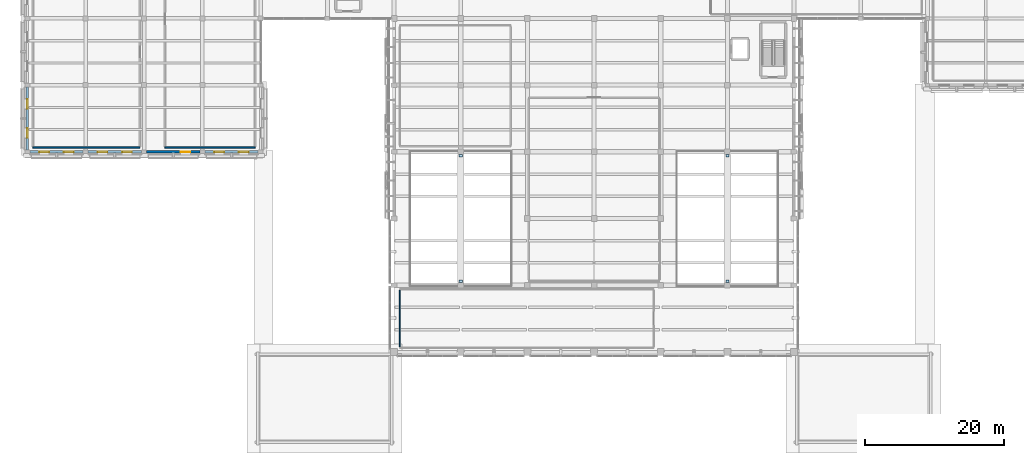
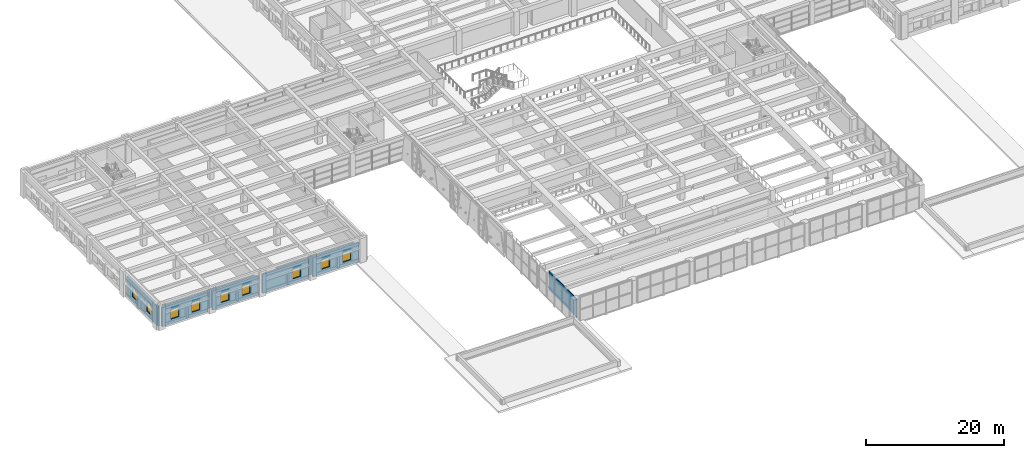
# One storey, part 29 of 49: 9 windows, 8 walls, 4 plates, 9 openings.
"""IFC4 building model written with IfcOpenShell, lengths in metres."""

from ifc_helpers import new_model, si_unit, direction, frame, frame_2d, origin, origin_2d, place, context, subcontext, project, spatial, rectangle, extrude, material, layer, layer_set, type_object, element, fill, save


model = new_model("IFC4")

# Units and contexts
model_context = context("Model", 3, precision=1e-05, world=origin(), true_north=direction((0.0, 1.0)))
body_context = subcontext(model_context, "Body", "Model", "MODEL_VIEW")
ifc_project = project(units=[si_unit("LENGTHUNIT", "METRE"), si_unit("AREAUNIT", "SQUARE_METRE"), si_unit("VOLUMEUNIT", "CUBIC_METRE"), si_unit("PLANEANGLEUNIT", "RADIAN"), si_unit("MASSUNIT", "GRAM", prefix="KILO")], contexts=[model_context])

# Site, building, storey
site_placement = place(None, origin())
site = spatial("IfcSite", under=ifc_project, at=site_placement, CompositionType="ELEMENT")
building_placement = place(site_placement, origin())
building = spatial("IfcBuilding", under=site, at=building_placement, Name="Bempovik Park Faculty of Sciences", CompositionType="ELEMENT")
storey_placement = place(building_placement, frame((0.0, 0.0, 5.39990234375)))
storey = spatial("IfcBuildingStorey", under=building, at=storey_placement, Name="L01", CompositionType="ELEMENT", Elevation=5.39990234375)

# Plates
ifc_material_1 = material(Name="Steel S355", Category="steel")
ifc_layer_1 = layer(ifc_material_1, 0.02001953125)
ifc_layer_set_1 = layer_set([ifc_layer_1], Name="Steel S355")
plate_type = type_object("IfcPlateType", Name="PL-42 Steel Plate 480x320x20", PredefinedType="USERDEFINED", material=ifc_layer_set_1)
for number, where, z_axis, x_axis, name in (
    (1, (69.60009765625, 29.949951171875, 2.360107421875), (0.0, 0.0, 1.0), (1.0, 0.0, 0.0), "Transfer Bearing Stiffener Plate W-S"),
    (2, (69.60009765625, 48.050048828125, 2.360107421875), (0.0, 0.0, 1.0), (1.0, 0.0, 0.0), "Transfer Bearing Stiffener Plate W-N"),
    (3, (108.0, 29.949951171875, 2.360107421875), (0.0, 0.0, 1.0), (1.0, 0.0, 0.0), "Transfer Bearing Stiffener Plate E-S"),
    (4, (108.0, 48.050048828125, 2.360107421875), (0.0, 0.0, 1.0), (1.0, 0.0, 0.0), "Transfer Bearing Stiffener Plate E-N"),
):
    element("IfcPlate", number, at=place(storey_placement, frame(where, z_axis=z_axis, x_axis=x_axis)), inside=storey, type_object=plate_type, Name=name, ObjectType="STIFFENER PLATE", PredefinedType="USERDEFINED", context=body_context, shape_type="SweptSolid", body=[
        extrude(rectangle(XDim=0.47998046875, YDim=0.320068359375, at=origin_2d()), origin(), (0.0, 0.0, 1.0), 0.02001953125),
    ])

# Wall
ifc_material_2 = material(Name="Gypsum acoustic stud assembly")
ifc_layer_2 = layer(ifc_material_2, 0.14990234375)
ifc_layer_set_2 = layer_set([ifc_layer_2], Name="Gypsum acoustic stud assembly")
wall_type_1 = type_object("IfcWallType", Name="W-42 Wall 150mm", PredefinedType="PARTITIONING", material=ifc_layer_set_2)
wall_1_placement = place(storey_placement, frame((60.800048828125, 20.56005859375, 0.0), z_axis=(0.0, 0.0, 1.0), x_axis=(0.0, 1.0, 0.0)))
element("IfcWall", 5, at=wall_1_placement, inside=storey, type_object=wall_type_1, Name="L01 Science Learning Commons South Reading Hall Partition West", PredefinedType="PARTITIONING", context=body_context, shape_type="SweptSolid", body=[
    extrude(rectangle(XDim=8.079833984375, YDim=0.14990234375, at=frame_2d((4.0400390625, 0.0))), origin(), (0.0, 0.0, 1.0), 3.22021484375),
])

# Wall, openings, windows
ifc_material_3 = material(Name="Precast concrete C40/50", Category="concrete")
ifc_layer_3 = layer(ifc_material_3, 0.320068359375)
ifc_layer_set_3 = layer_set([ifc_layer_3], Name="Precast concrete C40/50")
wall_type_2 = type_object("IfcWallType", Name="W-56 Wall 320mm", PredefinedType="SOLIDWALL", material=ifc_layer_set_3)
wall_2_placement = place(storey_placement, frame((7.56201171875, 48.60009765625, 0.0), z_axis=(0.0, 0.0, 1.0), x_axis=(1.0, 0.0, 0.0)))
wall_2 = element("IfcWall", 6, at=wall_2_placement, inside=storey, type_object=wall_type_2, Name="L01 Classical Precast Facade Wall EW-L01-6432", PredefinedType="SOLIDWALL", context=body_context, shape_type="SweptSolid", body=[
    extrude(rectangle(XDim=7.676025390625, YDim=0.320068359375, at=frame_2d((3.837890625, 0.0))), origin(), (0.0, 0.0, 1.0), 3.380126953125),
])
opening_1_placement = place(wall_2_placement, frame((1.37255859375, 0.0, 0.85009765625)))
opening_1 = element("IfcOpeningElement", 7, at=opening_1_placement, cuts=wall_2, Name="Opening WN-84", PredefinedType="OPENING", context=body_context, shape_type="SweptSolid", body=[
    extrude(rectangle(XDim=1.39990234375, YDim=1.64990234375, at=frame_2d((0.699951171875, 0.824951171875))), frame((0.0, 0.169921875, 0.0), z_axis=(0.0, -1.0, 0.0), x_axis=(1.0, 0.0, 0.0)), (0.0, 0.0, 1.0), 0.340087890625),
])
opening_2_placement = place(wall_2_placement, frame((4.903564453125, 0.0, 0.85009765625)))
opening_2 = element("IfcOpeningElement", 8, at=opening_2_placement, cuts=wall_2, Name="Opening WN-84", PredefinedType="OPENING", context=body_context, shape_type="SweptSolid", body=[
    extrude(rectangle(XDim=1.39990234375, YDim=1.64990234375, at=frame_2d((0.699951171875, 0.824951171875))), frame((0.0, 0.169921875, 0.0), z_axis=(0.0, -1.0, 0.0), x_axis=(1.0, 0.0, 0.0)), (0.0, 0.0, 1.0), 0.340087890625),
])
ifc_material_4 = material(Name="Tempered laminated low-E glass", Category="glass")
window_type = type_object("IfcWindowType", Name="WN-84 Window 1400x1650", PartitioningType="SINGLE_PANEL", PredefinedType="WINDOW", material=ifc_material_4)
window_1_placement = place(opening_1_placement, origin())
window_1 = element("IfcWindow", 9, at=window_1_placement, inside=storey, type_object=window_type, Name="L01 Window EW-L01-6432-1", OverallHeight=1.64990234375, OverallWidth=1.39990234375, PartitioningType="SINGLE_PANEL", PredefinedType="WINDOW", context=body_context, shape_type="SweptSolid", body=[
    extrude(rectangle(XDim=1.39990234375, YDim=1.64990234375, at=frame_2d((0.699951171875, 0.824951171875))), frame((0.0, 0.030029296875, 0.0), z_axis=(0.0, -1.0, 0.0), x_axis=(1.0, 0.0, 0.0)), (0.0, 0.0, 1.0), 0.06005859375),
])
fill(opening_1, window_1)
window_2_placement = place(opening_2_placement, origin())
window_2 = element("IfcWindow", 10, at=window_2_placement, inside=storey, type_object=window_type, Name="L01 Window EW-L01-6432-2", OverallHeight=1.64990234375, OverallWidth=1.39990234375, PartitioningType="SINGLE_PANEL", PredefinedType="WINDOW", context=body_context, shape_type="SweptSolid", body=[
    extrude(rectangle(XDim=1.39990234375, YDim=1.64990234375, at=frame_2d((0.699951171875, 0.824951171875))), frame((0.0, 0.030029296875, 0.0), z_axis=(0.0, -1.0, 0.0), x_axis=(1.0, 0.0, 0.0)), (0.0, 0.0, 1.0), 0.06005859375),
])
fill(opening_2, window_2)

wall_3_placement = place(storey_placement, frame((15.9619140625, 48.60009765625, 0.0), z_axis=(0.0, 0.0, 1.0), x_axis=(1.0, 0.0, 0.0)))
wall_3 = element("IfcWall", 11, at=wall_3_placement, inside=storey, type_object=wall_type_2, Name="L01 Classical Precast Facade Wall EW-L01-6446", PredefinedType="SOLIDWALL", context=body_context, shape_type="SweptSolid", body=[
    extrude(rectangle(XDim=7.676025390625, YDim=0.320068359375, at=frame_2d((3.837890625, 0.0))), origin(), (0.0, 0.0, 1.0), 3.380126953125),
])
opening_3_placement = place(wall_3_placement, frame((1.37255859375, 0.0, 0.85009765625)))
opening_3 = element("IfcOpeningElement", 12, at=opening_3_placement, cuts=wall_3, Name="Opening WN-84", PredefinedType="OPENING", context=body_context, shape_type="SweptSolid", body=[
    extrude(rectangle(XDim=1.39990234375, YDim=1.64990234375, at=frame_2d((0.699951171875, 0.824951171875))), frame((0.0, 0.169921875, 0.0), z_axis=(0.0, -1.0, 0.0), x_axis=(1.0, 0.0, 0.0)), (0.0, 0.0, 1.0), 0.340087890625),
])
opening_4_placement = place(wall_3_placement, frame((4.903564453125, 0.0, 0.85009765625)))
opening_4 = element("IfcOpeningElement", 13, at=opening_4_placement, cuts=wall_3, Name="Opening WN-84", PredefinedType="OPENING", context=body_context, shape_type="SweptSolid", body=[
    extrude(rectangle(XDim=1.39990234375, YDim=1.64990234375, at=frame_2d((0.699951171875, 0.824951171875))), frame((0.0, 0.169921875, 0.0), z_axis=(0.0, -1.0, 0.0), x_axis=(1.0, 0.0, 0.0)), (0.0, 0.0, 1.0), 0.340087890625),
])
window_3_placement = place(opening_3_placement, origin())
window_3 = element("IfcWindow", 14, at=window_3_placement, inside=storey, type_object=window_type, Name="L01 Window EW-L01-6446-1", OverallHeight=1.64990234375, OverallWidth=1.39990234375, PartitioningType="SINGLE_PANEL", PredefinedType="WINDOW", context=body_context, shape_type="SweptSolid", body=[
    extrude(rectangle(XDim=1.39990234375, YDim=1.64990234375, at=frame_2d((0.699951171875, 0.824951171875))), frame((0.0, 0.030029296875, 0.0), z_axis=(0.0, -1.0, 0.0), x_axis=(1.0, 0.0, 0.0)), (0.0, 0.0, 1.0), 0.06005859375),
])
fill(opening_3, window_3)
window_4_placement = place(opening_4_placement, origin())
window_4 = element("IfcWindow", 15, at=window_4_placement, inside=storey, type_object=window_type, Name="L01 Window EW-L01-6446-2", OverallHeight=1.64990234375, OverallWidth=1.39990234375, PartitioningType="SINGLE_PANEL", PredefinedType="WINDOW", context=body_context, shape_type="SweptSolid", body=[
    extrude(rectangle(XDim=1.39990234375, YDim=1.64990234375, at=frame_2d((0.699951171875, 0.824951171875))), frame((0.0, 0.030029296875, 0.0), z_axis=(0.0, -1.0, 0.0), x_axis=(1.0, 0.0, 0.0)), (0.0, 0.0, 1.0), 0.06005859375),
])
fill(opening_4, window_4)

# Wall, opening, window
wall_4_placement = place(storey_placement, frame((24.362060546875, 48.60009765625, 0.0), z_axis=(0.0, 0.0, 1.0), x_axis=(1.0, 0.0, 0.0)))
wall_4 = element("IfcWall", 16, at=wall_4_placement, inside=storey, type_object=wall_type_2, Name="L01 Classical Precast Facade Wall EW-L01-6459", PredefinedType="SOLIDWALL", context=body_context, shape_type="SweptSolid", body=[
    extrude(rectangle(XDim=7.676025390625, YDim=0.320068359375, at=frame_2d((3.837890625, 0.0))), origin(), (0.0, 0.0, 1.0), 3.380126953125),
])
opening_5_placement = place(wall_4_placement, frame((4.903564453125, 0.0, 0.85009765625)))
opening_5 = element("IfcOpeningElement", 17, at=opening_5_placement, cuts=wall_4, Name="Opening WN-84", PredefinedType="OPENING", context=body_context, shape_type="SweptSolid", body=[
    extrude(rectangle(XDim=1.39990234375, YDim=1.64990234375, at=frame_2d((0.699951171875, 0.824951171875))), frame((0.0, 0.169921875, 0.0), z_axis=(0.0, -1.0, 0.0), x_axis=(1.0, 0.0, 0.0)), (0.0, 0.0, 1.0), 0.340087890625),
])
window_5_placement = place(opening_5_placement, origin())
window_5 = element("IfcWindow", 18, at=window_5_placement, inside=storey, type_object=window_type, Name="L01 Window EW-L01-6459-2", OverallHeight=1.64990234375, OverallWidth=1.39990234375, PartitioningType="SINGLE_PANEL", PredefinedType="WINDOW", context=body_context, shape_type="SweptSolid", body=[
    extrude(rectangle(XDim=1.39990234375, YDim=1.64990234375, at=frame_2d((0.699951171875, 0.824951171875))), frame((0.0, 0.030029296875, 0.0), z_axis=(0.0, -1.0, 0.0), x_axis=(1.0, 0.0, 0.0)), (0.0, 0.0, 1.0), 0.06005859375),
])
fill(opening_5, window_5)

# Wall, openings, windows
wall_5_placement = place(storey_placement, frame((32.761962890625, 48.60009765625, 0.0), z_axis=(0.0, 0.0, 1.0), x_axis=(1.0, 0.0, 0.0)))
wall_5 = element("IfcWall", 19, at=wall_5_placement, inside=storey, type_object=wall_type_2, Name="L01 Classical Precast Facade Wall EW-L01-6470", PredefinedType="SOLIDWALL", context=body_context, shape_type="SweptSolid", body=[
    extrude(rectangle(XDim=7.676025390625, YDim=0.320068359375, at=frame_2d((3.837890625, 0.0))), origin(), (0.0, 0.0, 1.0), 3.380126953125),
])
opening_6_placement = place(wall_5_placement, frame((1.37255859375, 0.0, 0.85009765625)))
opening_6 = element("IfcOpeningElement", 20, at=opening_6_placement, cuts=wall_5, Name="Opening WN-84", PredefinedType="OPENING", context=body_context, shape_type="SweptSolid", body=[
    extrude(rectangle(XDim=1.39990234375, YDim=1.64990234375, at=frame_2d((0.699951171875, 0.824951171875))), frame((0.0, 0.169921875, 0.0), z_axis=(0.0, -1.0, 0.0), x_axis=(1.0, 0.0, 0.0)), (0.0, 0.0, 1.0), 0.340087890625),
])
opening_7_placement = place(wall_5_placement, frame((4.903564453125, 0.0, 0.85009765625)))
opening_7 = element("IfcOpeningElement", 21, at=opening_7_placement, cuts=wall_5, Name="Opening WN-84", PredefinedType="OPENING", context=body_context, shape_type="SweptSolid", body=[
    extrude(rectangle(XDim=1.39990234375, YDim=1.64990234375, at=frame_2d((0.699951171875, 0.824951171875))), frame((0.0, 0.169921875, 0.0), z_axis=(0.0, -1.0, 0.0), x_axis=(1.0, 0.0, 0.0)), (0.0, 0.0, 1.0), 0.340087890625),
])
window_6_placement = place(opening_6_placement, origin())
window_6 = element("IfcWindow", 22, at=window_6_placement, inside=storey, type_object=window_type, Name="L01 Window EW-L01-6470-1", OverallHeight=1.64990234375, OverallWidth=1.39990234375, PartitioningType="SINGLE_PANEL", PredefinedType="WINDOW", context=body_context, shape_type="SweptSolid", body=[
    extrude(rectangle(XDim=1.39990234375, YDim=1.64990234375, at=frame_2d((0.699951171875, 0.824951171875))), frame((0.0, 0.030029296875, 0.0), z_axis=(0.0, -1.0, 0.0), x_axis=(1.0, 0.0, 0.0)), (0.0, 0.0, 1.0), 0.06005859375),
])
fill(opening_6, window_6)
window_7_placement = place(opening_7_placement, origin())
window_7 = element("IfcWindow", 23, at=window_7_placement, inside=storey, type_object=window_type, Name="L01 Window EW-L01-6470-2", OverallHeight=1.64990234375, OverallWidth=1.39990234375, PartitioningType="SINGLE_PANEL", PredefinedType="WINDOW", context=body_context, shape_type="SweptSolid", body=[
    extrude(rectangle(XDim=1.39990234375, YDim=1.64990234375, at=frame_2d((0.699951171875, 0.824951171875))), frame((0.0, 0.030029296875, 0.0), z_axis=(0.0, -1.0, 0.0), x_axis=(1.0, 0.0, 0.0)), (0.0, 0.0, 1.0), 0.06005859375),
])
fill(opening_7, window_7)

wall_6_placement = place(storey_placement, frame((7.199951171875, 48.8720703125, 0.0), z_axis=(0.0, 0.0, 1.0), x_axis=(0.0, 1.0, 0.0)))
wall_6 = element("IfcWall", 24, at=wall_6_placement, inside=storey, type_object=wall_type_2, Name="L01 Classical Precast Facade Wall EW-L01-6483", PredefinedType="SOLIDWALL", context=body_context, shape_type="SweptSolid", body=[
    extrude(rectangle(XDim=9.055908203125, YDim=0.320068359375, at=frame_2d((4.52783203125, 0.0))), origin(), (0.0, 0.0, 1.0), 3.380126953125),
])
opening_8_placement = place(wall_6_placement, frame((1.7451171875, 0.0, 0.85009765625)))
opening_8 = element("IfcOpeningElement", 25, at=opening_8_placement, cuts=wall_6, Name="Opening WN-84", PredefinedType="OPENING", context=body_context, shape_type="SweptSolid", body=[
    extrude(rectangle(XDim=1.39990234375, YDim=1.64990234375, at=frame_2d((0.699951171875, 0.824951171875))), frame((0.0, 0.169921875, 0.0), z_axis=(0.0, -1.0, 0.0), x_axis=(1.0, 0.0, 0.0)), (0.0, 0.0, 1.0), 0.340087890625),
])
opening_9_placement = place(wall_6_placement, frame((5.910888671875, 0.0, 0.85009765625)))
opening_9 = element("IfcOpeningElement", 26, at=opening_9_placement, cuts=wall_6, Name="Opening WN-84", PredefinedType="OPENING", context=body_context, shape_type="SweptSolid", body=[
    extrude(rectangle(XDim=1.39990234375, YDim=1.64990234375, at=frame_2d((0.699951171875, 0.824951171875))), frame((0.0, 0.169921875, 0.0), z_axis=(0.0, -1.0, 0.0), x_axis=(1.0, 0.0, 0.0)), (0.0, 0.0, 1.0), 0.340087890625),
])
window_8_placement = place(opening_8_placement, origin())
window_8 = element("IfcWindow", 27, at=window_8_placement, inside=storey, type_object=window_type, Name="L01 Window EW-L01-6483-1", OverallHeight=1.64990234375, OverallWidth=1.39990234375, PartitioningType="SINGLE_PANEL", PredefinedType="WINDOW", context=body_context, shape_type="SweptSolid", body=[
    extrude(rectangle(XDim=1.39990234375, YDim=1.64990234375, at=frame_2d((0.699951171875, 0.824951171875))), frame((0.0, 0.030029296875, 0.0), z_axis=(0.0, -1.0, 0.0), x_axis=(1.0, 0.0, 0.0)), (0.0, 0.0, 1.0), 0.06005859375),
])
fill(opening_8, window_8)
window_9_placement = place(opening_9_placement, origin())
window_9 = element("IfcWindow", 28, at=window_9_placement, inside=storey, type_object=window_type, Name="L01 Window EW-L01-6483-2", OverallHeight=1.64990234375, OverallWidth=1.39990234375, PartitioningType="SINGLE_PANEL", PredefinedType="WINDOW", context=body_context, shape_type="SweptSolid", body=[
    extrude(rectangle(XDim=1.39990234375, YDim=1.64990234375, at=frame_2d((0.699951171875, 0.824951171875))), frame((0.0, 0.030029296875, 0.0), z_axis=(0.0, -1.0, 0.0), x_axis=(1.0, 0.0, 0.0)), (0.0, 0.0, 1.0), 0.06005859375),
])
fill(opening_9, window_9)

# Walls
ifc_material_5 = material(Name="Concrete C35/45", Category="concrete")
ifc_layer_4 = layer(ifc_material_5, 0.199951171875)
ifc_layer_set_4 = layer_set([ifc_layer_4], Name="Concrete C35/45")
wall_type_3 = type_object("IfcWallType", Name="W-59 Wall 200mm", PredefinedType="PARTITIONING", material=ifc_layer_set_4)
wall_7_placement = place(storey_placement, frame((8.0, 49.199951171875, 0.0), z_axis=(0.0, 0.0, 1.0), x_axis=(1.0, 0.0, 0.0)))
element("IfcWall", 29, at=wall_7_placement, inside=storey, type_object=wall_type_3, Name="L01 Organic Chemistry Teaching Laboratory Partition South", PredefinedType="PARTITIONING", context=body_context, shape_type="SweptSolid", body=[
    extrude(rectangle(XDim=15.39990234375, YDim=0.199951171875, at=frame_2d((7.699951171875, 0.0))), origin(), (0.0, 0.0, 1.0), 3.22021484375),
])
wall_8_placement = place(storey_placement, frame((27.0, 49.199951171875, 0.0), z_axis=(0.0, 0.0, 1.0), x_axis=(1.0, 0.0, 0.0)))
element("IfcWall", 30, at=wall_8_placement, inside=storey, type_object=wall_type_3, Name="L01 Analytical Instrumentation Teaching Laboratory Partition South", PredefinedType="PARTITIONING", context=body_context, shape_type="SweptSolid", body=[
    extrude(rectangle(XDim=13.0, YDim=0.199951171875, at=frame_2d((6.5, 0.0))), origin(), (0.0, 0.0, 1.0), 3.22021484375),
])

save(model, "model.ifc")
